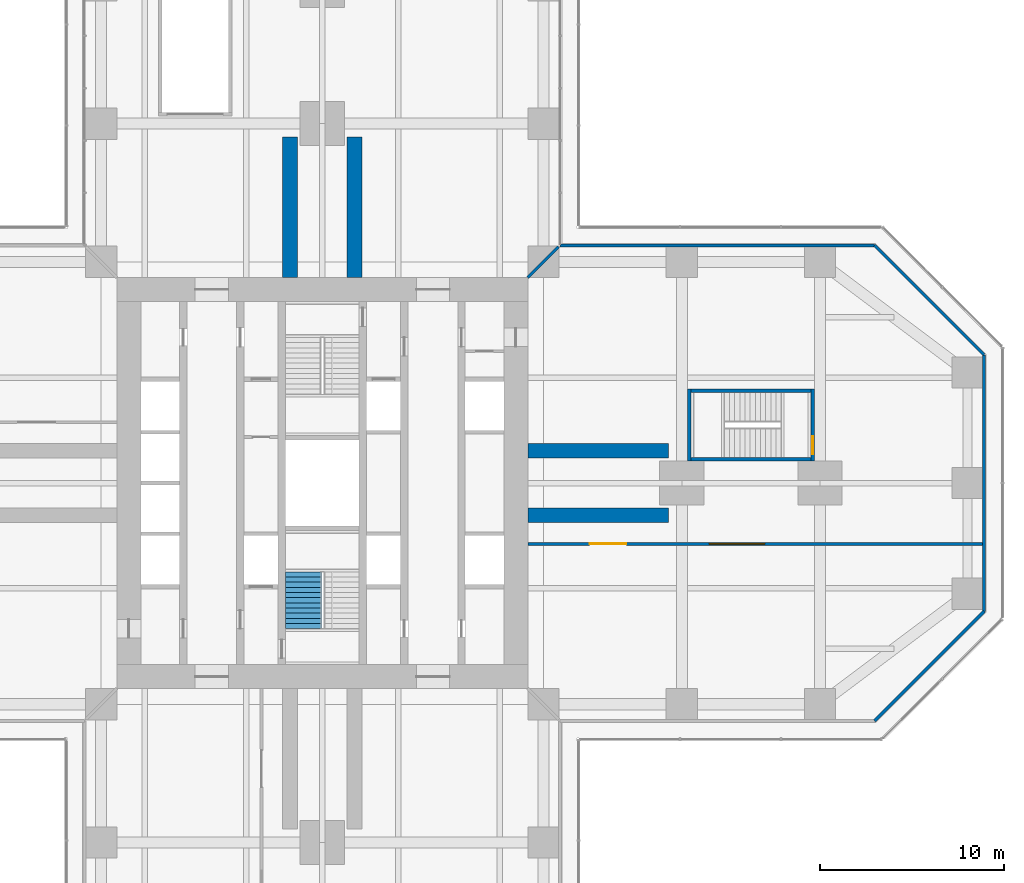
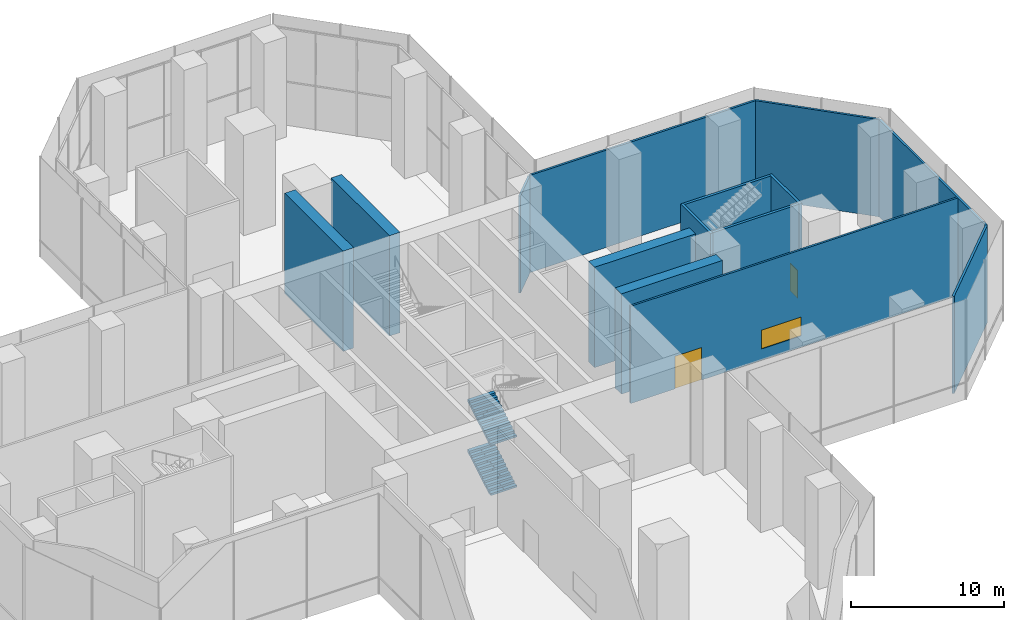
# One storey, part 19 of 25: 14 walls, 2 doors, 2 stair flights, 1 window, 3 openings, 1 element without a shape of its own.
"""IFC4 building model written with IfcOpenShell, lengths in metres."""

from ifc_helpers import new_model, si_unit, direction, frame, frame_2d, origin, place, context, subcontext, project, spatial, polyline, rectangle, outline, extrude, material, layer, layer_set, type_object, element, fill, aggregate, save


model = new_model("IFC4")

# Units and contexts
model_context = context("Model", 3, precision=1e-05, world=origin(), true_north=direction((0.0, 1.0)))
body_context = subcontext(model_context, "Body", "Model", "MODEL_VIEW")
ifc_project = project(units=[si_unit("LENGTHUNIT", "METRE"), si_unit("AREAUNIT", "SQUARE_METRE"), si_unit("VOLUMEUNIT", "CUBIC_METRE"), si_unit("PLANEANGLEUNIT", "RADIAN"), si_unit("MASSUNIT", "GRAM", prefix="KILO")], contexts=[model_context])

# Site, building, storey
site_placement = place(None, origin())
site = spatial("IfcSite", under=ifc_project, at=site_placement, CompositionType="ELEMENT")
building_placement = place(site_placement, origin())
building = spatial("IfcBuilding", under=site, at=building_placement, Name="Mizan Broadcast Tower", CompositionType="ELEMENT")
storey_placement = place(building_placement, frame((0.0, 0.0, 7.0)))
storey = spatial("IfcBuildingStorey", under=building, at=storey_placement, Name="L01", CompositionType="ELEMENT", Elevation=7.0)

# Wall, openings, door, window
ifc_material_1 = material(Name="Gypsum board on steel studs", Category="steel")
ifc_layer_1 = layer(ifc_material_1, 0.14990234375)
ifc_layer_set_1 = layer_set([ifc_layer_1], Name="Gypsum board on steel studs")
wall_type_1 = type_object("IfcWallType", Name="PARTITION 150", PredefinedType="PARTITIONING", material=ifc_layer_set_1)
wall_1_placement = place(storey_placement, frame((11.14990234375, -3.300048828125, 0.0), z_axis=(0.0, 0.0, 1.0), x_axis=(1.0, 0.0, 0.0)))
wall_1 = element("IfcWall", 1, at=wall_1_placement, inside=storey, type_object=wall_type_1, Name="Partition PT/ES", PredefinedType="PARTITIONING", context=body_context, shape_type="SweptSolid", body=[
    extrude(rectangle(XDim=24.670166015625, YDim=0.14990234375, at=frame_2d((12.3349609375, 0.0))), origin(), (0.0, 0.0, 1.0), 7.75),
])
opening_1_placement = place(wall_1_placement, frame((3.35009765625, 0.0, 0.0)))
opening_1 = element("IfcOpeningElement", 2, at=opening_1_placement, cuts=wall_1, Name="Opening D20", PredefinedType="OPENING", context=body_context, shape_type="SweptSolid", body=[
    extrude(rectangle(XDim=2.0, YDim=2.60009765625, at=frame_2d((1.0, 1.300048828125))), frame((0.0, 0.0849609375, 0.0), z_axis=(0.0, -1.0, 0.0), x_axis=(1.0, 0.0, 0.0)), (0.0, 0.0, 1.0), 0.169921875),
])
opening_2_placement = place(wall_1_placement, frame((9.85009765625, 0.0, 0.89990234375)))
opening_2 = element("IfcOpeningElement", 3, at=opening_2_placement, cuts=wall_1, Name="Opening W01", PredefinedType="OPENING", context=body_context, shape_type="SweptSolid", body=[
    extrude(rectangle(XDim=3.0, YDim=1.5, at=frame_2d((1.5, 0.75))), frame((0.0, 0.0849609375, 0.0), z_axis=(0.0, -1.0, 0.0), x_axis=(1.0, 0.0, 0.0)), (0.0, 0.0, 1.0), 0.169921875),
])
ifc_material_2 = material(Name="Timber door leaf in aluminium frame", Category="wood")
door_type_1 = type_object("IfcDoorType", Name="STUDIO DOUBLE DOOR 2000", OperationType="DOUBLE_DOOR_DOUBLE_SWING", PredefinedType="DOOR", material=ifc_material_2)
door_1_placement = place(opening_1_placement, origin())
door_1 = element("IfcDoor", 4, at=door_1_placement, inside=storey, type_object=door_type_1, Name="Studio A door", OperationType="DOUBLE_DOOR_DOUBLE_SWING", OverallHeight=2.60009765625, OverallWidth=2.0, PredefinedType="DOOR", context=body_context, shape_type="SweptSolid", body=[
    extrude(rectangle(XDim=2.0, YDim=2.60009765625, at=frame_2d((1.0, 1.300048828125))), frame((0.0, 0.02490234375, 0.0), z_axis=(0.0, -1.0, 0.0), x_axis=(1.0, 0.0, 0.0)), (0.0, 0.0, 1.0), 0.050048828125),
])
fill(opening_1, door_1)
ifc_material_3 = material(Name="Acoustic laminated triple glazing in steel frame", Category="steel")
window_type = type_object("IfcWindowType", Name="STUDIO OBSERVATION WINDOW 3000x1500", PartitioningType="SINGLE_PANEL", PredefinedType="WINDOW", material=ifc_material_3)
window_placement = place(opening_2_placement, origin())
window = element("IfcWindow", 5, at=window_placement, inside=storey, type_object=window_type, Name="Studio A observation window", OverallHeight=1.5, OverallWidth=3.0, PartitioningType="SINGLE_PANEL", PredefinedType="WINDOW", context=body_context, shape_type="SweptSolid", body=[
    extrude(rectangle(XDim=3.0, YDim=1.5, at=frame_2d((1.5, 0.75))), frame((0.0, 0.030029296875, 0.0), z_axis=(0.0, -1.0, 0.0), x_axis=(1.0, 0.0, 0.0)), (0.0, 0.0, 1.0), 0.06005859375),
])
fill(opening_2, window)

# Walls
wall_2_placement = place(storey_placement, frame((11.14990234375, 11.14990234375, 0.0), z_axis=(0.0, 0.0, 1.0), x_axis=(0.707106781187, 0.707106781187, 0.0)))
element("IfcWall", 6, at=wall_2_placement, inside=storey, type_object=wall_type_1, Name="Partition PT/DGEN", PredefinedType="PARTITIONING", context=body_context, shape_type="SweptSolid", body=[
    extrude(rectangle(XDim=2.362060546875, YDim=0.14990234375, at=frame_2d((1.18115234375, 0.0))), origin(), (0.0, 0.0, 1.0), 7.75),
])
ifc_material_4 = material(Name="Concrete C70/85", Category="concrete")
ifc_layer_2 = layer(ifc_material_4, 0.800048828125)
ifc_layer_set_2 = layer_set([ifc_layer_2], Name="Concrete C70/85")
wall_type_2 = type_object("IfcWallType", Name="SPINE WALL 800", PredefinedType="SHEAR", material=ifc_layer_set_2)
for number, where, z_axis, x_axis, name in (
    (7, (11.14990234375, -1.75, 0.0), (0.0, 0.0, 1.0), (1.0, 0.0, 0.0), "Spine wall ER L01"),
    (8, (11.14990234375, 1.75, 0.0), (0.0, 0.0, 1.0), (1.0, 0.0, 0.0), "Spine wall EL L01"),
    (9, (1.75, 11.14990234375, 0.0), (0.0, 0.0, 1.0), (0.0, 1.0, 0.0), "Spine wall NR L01"),
    (10, (-1.75, 11.14990234375, 0.0), (0.0, 0.0, 1.0), (0.0, 1.0, 0.0), "Spine wall NL L01"),
):
    element("IfcWall", number, at=place(storey_placement, frame(where, z_axis=z_axis, x_axis=x_axis)), inside=storey, type_object=wall_type_2, Name=name, PredefinedType="SHEAR", context=body_context, shape_type="SweptSolid", body=[
        extrude(rectangle(XDim=7.625, YDim=0.800048828125, at=frame_2d((3.8125, 0.0))), origin(), (0.0, 0.0, 1.0), 8.0),
    ])
ifc_material_5 = material(Name="Concrete C40/50", Category="concrete")
ifc_layer_3 = layer(ifc_material_5, 0.199951171875)
ifc_layer_set_3 = layer_set([ifc_layer_3], Name="Concrete C40/50")
wall_type_3 = type_object("IfcWallType", Name="STAIR SHAFT WALL 200 RC", PredefinedType="SOLIDWALL", material=ifc_layer_set_3)
wall_3_placement = place(storey_placement, frame((19.89990234375, 1.199951171875, 0.0), z_axis=(0.0, 0.0, 1.0), x_axis=(0.0, 1.0, 0.0)))
element("IfcWall", 11, at=wall_3_placement, inside=storey, type_object=wall_type_3, Name="Stair shaft wall PS/E/U0", PredefinedType="SOLIDWALL", context=body_context, shape_type="SweptSolid", body=[
    extrude(rectangle(XDim=3.900146484375, YDim=0.199951171875, at=frame_2d((1.9501953125, 0.0))), origin(), (0.0, 0.0, 1.0), 7.75),
])

# Wall, opening, door
wall_4_placement = place(storey_placement, frame((26.60009765625, 5.10009765625, 0.0), z_axis=(0.0, 0.0, 1.0), x_axis=(0.0, -1.0, 0.0)))
wall_4 = element("IfcWall", 12, at=wall_4_placement, inside=storey, type_object=wall_type_3, Name="Stair shaft wall PS/E/U1", PredefinedType="SOLIDWALL", context=body_context, shape_type="SweptSolid", body=[
    extrude(rectangle(XDim=3.900146484375, YDim=0.199951171875, at=frame_2d((1.9501953125, 0.0))), origin(), (0.0, 0.0, 1.0), 7.75),
])
opening_3_placement = place(wall_4_placement, frame((2.550048828125, 0.0, 0.0)))
opening_3 = element("IfcOpeningElement", 13, at=opening_3_placement, cuts=wall_4, Name="Opening D10S", PredefinedType="OPENING", context=body_context, shape_type="SweptSolid", body=[
    extrude(rectangle(XDim=1.0, YDim=2.199951171875, at=frame_2d((0.5, 1.10009765625))), frame((0.0, 0.10986328125, 0.0), z_axis=(0.0, -1.0, 0.0), x_axis=(1.0, 0.0, 0.0)), (0.0, 0.0, 1.0), 0.219970703125),
])
ifc_material_6 = material(Name="Steel door leaf in steel frame", Category="steel")
door_type_2 = type_object("IfcDoorType", Name="STAIR DOOR 1000 FD90S", OperationType="SINGLE_SWING_RIGHT", PredefinedType="DOOR", material=ifc_material_6)
door_2_placement = place(opening_3_placement, origin())
door_2 = element("IfcDoor", 14, at=door_2_placement, inside=storey, type_object=door_type_2, Name="Stair C door", OperationType="SINGLE_SWING_RIGHT", OverallHeight=2.199951171875, OverallWidth=1.0, PredefinedType="DOOR", context=body_context, shape_type="SweptSolid", body=[
    extrude(rectangle(XDim=1.0, YDim=2.199951171875, at=frame_2d((0.5, 1.10009765625))), frame((0.0, 0.02490234375, 0.0), z_axis=(0.0, -1.0, 0.0), x_axis=(1.0, 0.0, 0.0)), (0.0, 0.0, 1.0), 0.050048828125),
])
fill(opening_3, door_2)

# Walls
for number, where, z_axis, x_axis, name in (
    (15, (20.0, 1.300048828125, 0.0), (0.0, 0.0, 1.0), (1.0, 0.0, 0.0), "Stair shaft wall PS/E/V0"),
    (16, (26.5, 5.0, 0.0), (0.0, 0.0, 1.0), (-1.0, 0.0, 0.0), "Stair shaft wall PS/E/V1"),
):
    element("IfcWall", number, at=place(storey_placement, frame(where, z_axis=z_axis, x_axis=x_axis)), inside=storey, type_object=wall_type_3, Name=name, PredefinedType="SOLIDWALL", context=body_context, shape_type="SweptSolid", body=[
        extrude(rectangle(XDim=6.5, YDim=0.199951171875, at=frame_2d((3.25, 0.0))), origin(), (0.0, 0.0, 1.0), 7.75),
    ])
ifc_material_7 = material(Name="Insulated aluminium panel wall", Category="aluminium")
ifc_layer_4 = layer(ifc_material_7, 0.159912109375)
ifc_layer_set_4 = layer_set([ifc_layer_4], Name="Insulated aluminium panel wall")
wall_type_4 = type_object("IfcWallType", Name="STUDIO CLADDING WALL 160", PredefinedType="SOLIDWALL", material=ifc_layer_set_4)
wall_5_placement = place(storey_placement, frame((29.95849609375, -12.89990234375, 0.0), z_axis=(0.0, 0.0, 1.0), x_axis=(0.707106781187, 0.707106781187, 0.0)))
element("IfcWall", 17, at=wall_5_placement, inside=storey, type_object=wall_type_4, Name="External wall L01 E chamfer", PredefinedType="SOLIDWALL", context=body_context, shape_type="SweptSolid", body=[
    extrude(rectangle(XDim=8.40234375, YDim=0.159912109375, at=frame_2d((4.201171875, 0.0))), origin(), (0.0, 0.0, 1.0), 7.75),
])
wall_6_placement = place(storey_placement, frame((35.89990234375, -6.95849609375, 0.0), z_axis=(0.0, 0.0, 1.0), x_axis=(0.0, 1.0, 0.0)))
element("IfcWall", 18, at=wall_6_placement, inside=storey, type_object=wall_type_4, Name="External wall L01 E end", PredefinedType="SOLIDWALL", context=body_context, shape_type="SweptSolid", body=[
    extrude(rectangle(XDim=13.9169921875, YDim=0.159912109375, at=frame_2d((6.95849609375, 0.0))), origin(), (0.0, 0.0, 1.0), 7.75),
])
wall_7_placement = place(storey_placement, frame((35.89990234375, 6.95849609375, 0.0), z_axis=(0.0, 0.0, 1.0), x_axis=(-0.707106781187, 0.707106781187, 0.0)))
element("IfcWall", 19, at=wall_7_placement, inside=storey, type_object=wall_type_4, Name="External wall L01 E chamfer", PredefinedType="SOLIDWALL", context=body_context, shape_type="SweptSolid", body=[
    extrude(rectangle(XDim=8.40234375, YDim=0.159912109375, at=frame_2d((4.201171875, 0.0))), origin(), (0.0, 0.0, 1.0), 7.75),
])
wall_8_placement = place(storey_placement, frame((29.95849609375, 12.89990234375, 0.0), z_axis=(0.0, 0.0, 1.0), x_axis=(-1.0, 0.0, 0.0)))
element("IfcWall", 20, at=wall_8_placement, inside=storey, type_object=wall_type_4, Name="External wall L01 E side", PredefinedType="SOLIDWALL", context=body_context, shape_type="SweptSolid", body=[
    extrude(rectangle(XDim=17.05859375, YDim=0.159912109375, at=frame_2d((8.529296875, 0.0))), origin(), (0.0, 0.0, 1.0), 7.75),
])

# Stair, stair flights
ifc_material_8 = material(Name="Concrete C40/50", Category="concrete")
stair_type = type_object("IfcStairType", Name="EXIT STAIR", PredefinedType="HALF_TURN_STAIR", material=ifc_material_8)
stair_placement = place(storey_placement, origin())
stair = element("IfcStair", 21, at=stair_placement, inside=storey, type_object=stair_type, Name="Stair A L01", PredefinedType="HALF_TURN_STAIR")
ifc_material_9 = material(Name="Concrete C40/50", Category="concrete")
stair_flight_type = type_object("IfcStairFlightType", Name="EXIT STAIR FLIGHT", PredefinedType="STRAIGHT", material=ifc_material_9)
stair_flight_1_placement = place(storey_placement, frame((-1.02490234375, -7.89990234375, 0.0), z_axis=(0.0, 0.0, 1.0), x_axis=(0.0, 1.0, 0.0)))
stair_flight_1 = element("IfcStairFlight", 22, at=stair_flight_1_placement, type_object=stair_flight_type, Name="A flight 1", NumberOfRisers=12, NumberOfTreads=11, PredefinedType="STRAIGHT", RiserHeight=0.166666667, TreadLength=0.28, context=body_context, shape_type="SweptSolid", body=[
    extrude(outline(polyline([(0.0, 0.0), (0.0, 0.166748046875), (0.280029296875, 0.166748046875), (0.280029296875, 0.333251953125), (0.56005859375, 0.333251953125), (0.56005859375, 0.5), (0.840087890625, 0.5), (0.840087890625, 0.666748046875), (1.1201171875, 0.666748046875), (1.1201171875, 0.833251953125), (1.39990234375, 0.833251953125), (1.39990234375, 1.0), (1.679931640625, 1.0), (1.679931640625, 1.166748046875), (1.9599609375, 1.166748046875), (1.9599609375, 1.333251953125), (2.239990234375, 1.333251953125), (2.239990234375, 1.5), (2.52001953125, 1.5), (2.52001953125, 1.666748046875), (2.800048828125, 1.666748046875), (2.800048828125, 1.833251953125), (3.080078125, 1.833251953125), (3.080078125, 2.0), (3.080078125, 1.658935546875), (0.29296875, 0.0), (0.0, 0.0)])), frame((0.0, 0.97509765625, 0.0), z_axis=(0.0, -1.0, 0.0), x_axis=(1.0, 0.0, 0.0)), (0.0, 0.0, 1.0), 0.4873046875),
    extrude(outline(polyline([(0.0, 0.0), (0.0, 0.166748046875), (0.280029296875, 0.166748046875), (0.280029296875, 0.333251953125), (0.56005859375, 0.333251953125), (0.56005859375, 0.5), (0.840087890625, 0.5), (0.840087890625, 0.666748046875), (1.1201171875, 0.666748046875), (1.1201171875, 0.833251953125), (1.39990234375, 0.833251953125), (1.39990234375, 1.0), (1.679931640625, 1.0), (1.679931640625, 1.166748046875), (1.9599609375, 1.166748046875), (1.9599609375, 1.333251953125), (2.239990234375, 1.333251953125), (2.239990234375, 1.5), (2.52001953125, 1.5), (2.52001953125, 1.666748046875), (2.800048828125, 1.666748046875), (2.800048828125, 1.833251953125), (3.080078125, 1.833251953125), (3.080078125, 2.0), (3.080078125, 1.658935546875), (0.29296875, 0.0), (0.0, 0.0)])), frame((0.0, 0.4873046875, 0.0), z_axis=(0.0, -1.0, 0.0), x_axis=(1.0, 0.0, 0.0)), (0.0, 0.0, 1.0), 0.2431640625),
    extrude(outline(polyline([(0.0, 0.0), (0.0, 0.166748046875), (0.280029296875, 0.166748046875), (0.280029296875, 0.333251953125), (0.56005859375, 0.333251953125), (0.56005859375, 0.5), (0.840087890625, 0.5), (0.840087890625, 0.666748046875), (1.1201171875, 0.666748046875), (1.1201171875, 0.833251953125), (1.39990234375, 0.833251953125), (1.39990234375, 1.0), (1.679931640625, 1.0), (1.679931640625, 1.166748046875), (1.9599609375, 1.166748046875), (1.9599609375, 1.333251953125), (2.239990234375, 1.333251953125), (2.239990234375, 1.5), (2.52001953125, 1.5), (2.52001953125, 1.666748046875), (2.800048828125, 1.666748046875), (2.800048828125, 1.833251953125), (3.080078125, 1.833251953125), (3.080078125, 2.0), (3.080078125, 1.658935546875), (0.29296875, 0.0), (0.0, 0.0)])), frame((0.0, 0.24365234375, 0.0), z_axis=(0.0, -1.0, 0.0), x_axis=(1.0, 0.0, 0.0)), (0.0, 0.0, 1.0), 0.121337890625),
    extrude(outline(polyline([(0.0, 0.0), (0.0, 0.166748046875), (0.280029296875, 0.166748046875), (0.280029296875, 0.333251953125), (0.56005859375, 0.333251953125), (0.56005859375, 0.5), (0.840087890625, 0.5), (0.840087890625, 0.666748046875), (1.1201171875, 0.666748046875), (1.1201171875, 0.833251953125), (1.39990234375, 0.833251953125), (1.39990234375, 1.0), (1.679931640625, 1.0), (1.679931640625, 1.166748046875), (1.9599609375, 1.166748046875), (1.9599609375, 1.333251953125), (2.239990234375, 1.333251953125), (2.239990234375, 1.5), (2.52001953125, 1.5), (2.52001953125, 1.666748046875), (2.800048828125, 1.666748046875), (2.800048828125, 1.833251953125), (3.080078125, 1.833251953125), (3.080078125, 2.0), (3.080078125, 1.658935546875), (0.29296875, 0.0), (0.0, 0.0)])), frame((0.0, 0.121826171875, 0.0), z_axis=(0.0, -1.0, 0.0), x_axis=(1.0, 0.0, 0.0)), (0.0, 0.0, 1.0), 0.060546875),
    extrude(outline(polyline([(0.0, 0.0), (0.0, 0.166748046875), (0.280029296875, 0.166748046875), (0.280029296875, 0.333251953125), (0.56005859375, 0.333251953125), (0.56005859375, 0.5), (0.840087890625, 0.5), (0.840087890625, 0.666748046875), (1.1201171875, 0.666748046875), (1.1201171875, 0.833251953125), (1.39990234375, 0.833251953125), (1.39990234375, 1.0), (1.679931640625, 1.0), (1.679931640625, 1.166748046875), (1.9599609375, 1.166748046875), (1.9599609375, 1.333251953125), (2.239990234375, 1.333251953125), (2.239990234375, 1.5), (2.52001953125, 1.5), (2.52001953125, 1.666748046875), (2.800048828125, 1.666748046875), (2.800048828125, 1.833251953125), (3.080078125, 1.833251953125), (3.080078125, 2.0), (3.080078125, 1.658935546875), (0.29296875, 0.0), (0.0, 0.0)])), frame((0.0, 0.060791015625, 0.0), z_axis=(0.0, -1.0, 0.0), x_axis=(1.0, 0.0, 0.0)), (0.0, 0.0, 1.0), 0.030029296875),
    extrude(outline(polyline([(0.0, 0.0), (0.0, 0.166748046875), (0.280029296875, 0.166748046875), (0.280029296875, 0.333251953125), (0.56005859375, 0.333251953125), (0.56005859375, 0.5), (0.840087890625, 0.5), (0.840087890625, 0.666748046875), (1.1201171875, 0.666748046875), (1.1201171875, 0.833251953125), (1.39990234375, 0.833251953125), (1.39990234375, 1.0), (1.679931640625, 1.0), (1.679931640625, 1.166748046875), (1.9599609375, 1.166748046875), (1.9599609375, 1.333251953125), (2.239990234375, 1.333251953125), (2.239990234375, 1.5), (2.52001953125, 1.5), (2.52001953125, 1.666748046875), (2.800048828125, 1.666748046875), (2.800048828125, 1.833251953125), (3.080078125, 1.833251953125), (3.080078125, 2.0), (3.080078125, 1.658935546875), (0.29296875, 0.0), (0.0, 0.0)])), frame((0.0, 0.0302734375, 0.0), z_axis=(0.0, -1.0, 0.0), x_axis=(1.0, 0.0, 0.0)), (0.0, 0.0, 1.0), 0.060302734375),
    extrude(outline(polyline([(0.0, 0.0), (0.0, 0.166748046875), (0.280029296875, 0.166748046875), (0.280029296875, 0.333251953125), (0.56005859375, 0.333251953125), (0.56005859375, 0.5), (0.840087890625, 0.5), (0.840087890625, 0.666748046875), (1.1201171875, 0.666748046875), (1.1201171875, 0.833251953125), (1.39990234375, 0.833251953125), (1.39990234375, 1.0), (1.679931640625, 1.0), (1.679931640625, 1.166748046875), (1.9599609375, 1.166748046875), (1.9599609375, 1.333251953125), (2.239990234375, 1.333251953125), (2.239990234375, 1.5), (2.52001953125, 1.5), (2.52001953125, 1.666748046875), (2.800048828125, 1.666748046875), (2.800048828125, 1.833251953125), (3.080078125, 1.833251953125), (3.080078125, 2.0), (3.080078125, 1.658935546875), (0.29296875, 0.0), (0.0, 0.0)])), frame((0.0, -0.030517578125, 0.0), z_axis=(0.0, -1.0, 0.0), x_axis=(1.0, 0.0, 0.0)), (0.0, 0.0, 1.0), 0.030029296875),
    extrude(outline(polyline([(0.0, 0.0), (0.0, 0.166748046875), (0.280029296875, 0.166748046875), (0.280029296875, 0.333251953125), (0.56005859375, 0.333251953125), (0.56005859375, 0.5), (0.840087890625, 0.5), (0.840087890625, 0.666748046875), (1.1201171875, 0.666748046875), (1.1201171875, 0.833251953125), (1.39990234375, 0.833251953125), (1.39990234375, 1.0), (1.679931640625, 1.0), (1.679931640625, 1.166748046875), (1.9599609375, 1.166748046875), (1.9599609375, 1.333251953125), (2.239990234375, 1.333251953125), (2.239990234375, 1.5), (2.52001953125, 1.5), (2.52001953125, 1.666748046875), (2.800048828125, 1.666748046875), (2.800048828125, 1.833251953125), (3.080078125, 1.833251953125), (3.080078125, 2.0), (3.080078125, 1.658935546875), (0.29296875, 0.0), (0.0, 0.0)])), frame((0.0, -0.06103515625, 0.0), z_axis=(0.0, -1.0, 0.0), x_axis=(1.0, 0.0, 0.0)), (0.0, 0.0, 1.0), 0.060546875),
    extrude(outline(polyline([(0.0, 0.0), (0.0, 0.166748046875), (0.280029296875, 0.166748046875), (0.280029296875, 0.333251953125), (0.56005859375, 0.333251953125), (0.56005859375, 0.5), (0.840087890625, 0.5), (0.840087890625, 0.666748046875), (1.1201171875, 0.666748046875), (1.1201171875, 0.833251953125), (1.39990234375, 0.833251953125), (1.39990234375, 1.0), (1.679931640625, 1.0), (1.679931640625, 1.166748046875), (1.9599609375, 1.166748046875), (1.9599609375, 1.333251953125), (2.239990234375, 1.333251953125), (2.239990234375, 1.5), (2.52001953125, 1.5), (2.52001953125, 1.666748046875), (2.800048828125, 1.666748046875), (2.800048828125, 1.833251953125), (3.080078125, 1.833251953125), (3.080078125, 2.0), (3.080078125, 1.658935546875), (0.29296875, 0.0), (0.0, 0.0)])), frame((0.0, -0.1220703125, 0.0), z_axis=(0.0, -1.0, 0.0), x_axis=(1.0, 0.0, 0.0)), (0.0, 0.0, 1.0), 0.121337890625),
    extrude(outline(polyline([(0.0, 0.0), (0.0, 0.166748046875), (0.280029296875, 0.166748046875), (0.280029296875, 0.333251953125), (0.56005859375, 0.333251953125), (0.56005859375, 0.5), (0.840087890625, 0.5), (0.840087890625, 0.666748046875), (1.1201171875, 0.666748046875), (1.1201171875, 0.833251953125), (1.39990234375, 0.833251953125), (1.39990234375, 1.0), (1.679931640625, 1.0), (1.679931640625, 1.166748046875), (1.9599609375, 1.166748046875), (1.9599609375, 1.333251953125), (2.239990234375, 1.333251953125), (2.239990234375, 1.5), (2.52001953125, 1.5), (2.52001953125, 1.666748046875), (2.800048828125, 1.666748046875), (2.800048828125, 1.833251953125), (3.080078125, 1.833251953125), (3.080078125, 2.0), (3.080078125, 1.658935546875), (0.29296875, 0.0), (0.0, 0.0)])), frame((0.0, -0.243896484375, 0.0), z_axis=(0.0, -1.0, 0.0), x_axis=(1.0, 0.0, 0.0)), (0.0, 0.0, 1.0), 0.2431640625),
    extrude(outline(polyline([(0.0, 0.0), (0.0, 0.166748046875), (0.280029296875, 0.166748046875), (0.280029296875, 0.333251953125), (0.56005859375, 0.333251953125), (0.56005859375, 0.5), (0.840087890625, 0.5), (0.840087890625, 0.666748046875), (1.1201171875, 0.666748046875), (1.1201171875, 0.833251953125), (1.39990234375, 0.833251953125), (1.39990234375, 1.0), (1.679931640625, 1.0), (1.679931640625, 1.166748046875), (1.9599609375, 1.166748046875), (1.9599609375, 1.333251953125), (2.239990234375, 1.333251953125), (2.239990234375, 1.5), (2.52001953125, 1.5), (2.52001953125, 1.666748046875), (2.800048828125, 1.666748046875), (2.800048828125, 1.833251953125), (3.080078125, 1.833251953125), (3.080078125, 2.0), (3.080078125, 1.658935546875), (0.29296875, 0.0), (0.0, 0.0)])), frame((0.0, -0.487548828125, 0.0), z_axis=(0.0, -1.0, 0.0), x_axis=(1.0, 0.0, 0.0)), (0.0, 0.0, 1.0), 0.4873046875),
])
stair_flight_2_placement = place(storey_placement, frame((-1.02490234375, -7.89990234375, 4.0), z_axis=(0.0, 0.0, 1.0), x_axis=(0.0, 1.0, 0.0)))
stair_flight_2 = element("IfcStairFlight", 23, at=stair_flight_2_placement, type_object=stair_flight_type, Name="A flight 3", NumberOfRisers=12, NumberOfTreads=11, PredefinedType="STRAIGHT", RiserHeight=0.166666667, TreadLength=0.28, context=body_context, shape_type="SweptSolid", body=[
    extrude(outline(polyline([(0.0, 0.0), (0.0, 0.166748046875), (0.280029296875, 0.166748046875), (0.280029296875, 0.333251953125), (0.56005859375, 0.333251953125), (0.56005859375, 0.5), (0.840087890625, 0.5), (0.840087890625, 0.666748046875), (1.1201171875, 0.666748046875), (1.1201171875, 0.833251953125), (1.39990234375, 0.833251953125), (1.39990234375, 1.0), (1.679931640625, 1.0), (1.679931640625, 1.166748046875), (1.9599609375, 1.166748046875), (1.9599609375, 1.333251953125), (2.239990234375, 1.333251953125), (2.239990234375, 1.5), (2.52001953125, 1.5), (2.52001953125, 1.666748046875), (2.800048828125, 1.666748046875), (2.800048828125, 1.833251953125), (3.080078125, 1.833251953125), (3.080078125, 2.0), (3.080078125, 1.658935546875), (0.29296875, 0.0), (0.0, 0.0)])), frame((0.0, 0.97509765625, 0.0), z_axis=(0.0, -1.0, 0.0), x_axis=(1.0, 0.0, 0.0)), (0.0, 0.0, 1.0), 0.4873046875),
    extrude(outline(polyline([(0.0, 0.0), (0.0, 0.166748046875), (0.280029296875, 0.166748046875), (0.280029296875, 0.333251953125), (0.56005859375, 0.333251953125), (0.56005859375, 0.5), (0.840087890625, 0.5), (0.840087890625, 0.666748046875), (1.1201171875, 0.666748046875), (1.1201171875, 0.833251953125), (1.39990234375, 0.833251953125), (1.39990234375, 1.0), (1.679931640625, 1.0), (1.679931640625, 1.166748046875), (1.9599609375, 1.166748046875), (1.9599609375, 1.333251953125), (2.239990234375, 1.333251953125), (2.239990234375, 1.5), (2.52001953125, 1.5), (2.52001953125, 1.666748046875), (2.800048828125, 1.666748046875), (2.800048828125, 1.833251953125), (3.080078125, 1.833251953125), (3.080078125, 2.0), (3.080078125, 1.658935546875), (0.29296875, 0.0), (0.0, 0.0)])), frame((0.0, 0.4873046875, 0.0), z_axis=(0.0, -1.0, 0.0), x_axis=(1.0, 0.0, 0.0)), (0.0, 0.0, 1.0), 0.2431640625),
    extrude(outline(polyline([(0.0, 0.0), (0.0, 0.166748046875), (0.280029296875, 0.166748046875), (0.280029296875, 0.333251953125), (0.56005859375, 0.333251953125), (0.56005859375, 0.5), (0.840087890625, 0.5), (0.840087890625, 0.666748046875), (1.1201171875, 0.666748046875), (1.1201171875, 0.833251953125), (1.39990234375, 0.833251953125), (1.39990234375, 1.0), (1.679931640625, 1.0), (1.679931640625, 1.166748046875), (1.9599609375, 1.166748046875), (1.9599609375, 1.333251953125), (2.239990234375, 1.333251953125), (2.239990234375, 1.5), (2.52001953125, 1.5), (2.52001953125, 1.666748046875), (2.800048828125, 1.666748046875), (2.800048828125, 1.833251953125), (3.080078125, 1.833251953125), (3.080078125, 2.0), (3.080078125, 1.658935546875), (0.29296875, 0.0), (0.0, 0.0)])), frame((0.0, 0.24365234375, 0.0), z_axis=(0.0, -1.0, 0.0), x_axis=(1.0, 0.0, 0.0)), (0.0, 0.0, 1.0), 0.121337890625),
    extrude(outline(polyline([(0.0, 0.0), (0.0, 0.166748046875), (0.280029296875, 0.166748046875), (0.280029296875, 0.333251953125), (0.56005859375, 0.333251953125), (0.56005859375, 0.5), (0.840087890625, 0.5), (0.840087890625, 0.666748046875), (1.1201171875, 0.666748046875), (1.1201171875, 0.833251953125), (1.39990234375, 0.833251953125), (1.39990234375, 1.0), (1.679931640625, 1.0), (1.679931640625, 1.166748046875), (1.9599609375, 1.166748046875), (1.9599609375, 1.333251953125), (2.239990234375, 1.333251953125), (2.239990234375, 1.5), (2.52001953125, 1.5), (2.52001953125, 1.666748046875), (2.800048828125, 1.666748046875), (2.800048828125, 1.833251953125), (3.080078125, 1.833251953125), (3.080078125, 2.0), (3.080078125, 1.658935546875), (0.29296875, 0.0), (0.0, 0.0)])), frame((0.0, 0.121826171875, 0.0), z_axis=(0.0, -1.0, 0.0), x_axis=(1.0, 0.0, 0.0)), (0.0, 0.0, 1.0), 0.060546875),
    extrude(outline(polyline([(0.0, 0.0), (0.0, 0.166748046875), (0.280029296875, 0.166748046875), (0.280029296875, 0.333251953125), (0.56005859375, 0.333251953125), (0.56005859375, 0.5), (0.840087890625, 0.5), (0.840087890625, 0.666748046875), (1.1201171875, 0.666748046875), (1.1201171875, 0.833251953125), (1.39990234375, 0.833251953125), (1.39990234375, 1.0), (1.679931640625, 1.0), (1.679931640625, 1.166748046875), (1.9599609375, 1.166748046875), (1.9599609375, 1.333251953125), (2.239990234375, 1.333251953125), (2.239990234375, 1.5), (2.52001953125, 1.5), (2.52001953125, 1.666748046875), (2.800048828125, 1.666748046875), (2.800048828125, 1.833251953125), (3.080078125, 1.833251953125), (3.080078125, 2.0), (3.080078125, 1.658935546875), (0.29296875, 0.0), (0.0, 0.0)])), frame((0.0, 0.060791015625, 0.0), z_axis=(0.0, -1.0, 0.0), x_axis=(1.0, 0.0, 0.0)), (0.0, 0.0, 1.0), 0.030029296875),
    extrude(outline(polyline([(0.0, 0.0), (0.0, 0.166748046875), (0.280029296875, 0.166748046875), (0.280029296875, 0.333251953125), (0.56005859375, 0.333251953125), (0.56005859375, 0.5), (0.840087890625, 0.5), (0.840087890625, 0.666748046875), (1.1201171875, 0.666748046875), (1.1201171875, 0.833251953125), (1.39990234375, 0.833251953125), (1.39990234375, 1.0), (1.679931640625, 1.0), (1.679931640625, 1.166748046875), (1.9599609375, 1.166748046875), (1.9599609375, 1.333251953125), (2.239990234375, 1.333251953125), (2.239990234375, 1.5), (2.52001953125, 1.5), (2.52001953125, 1.666748046875), (2.800048828125, 1.666748046875), (2.800048828125, 1.833251953125), (3.080078125, 1.833251953125), (3.080078125, 2.0), (3.080078125, 1.658935546875), (0.29296875, 0.0), (0.0, 0.0)])), frame((0.0, 0.0302734375, 0.0), z_axis=(0.0, -1.0, 0.0), x_axis=(1.0, 0.0, 0.0)), (0.0, 0.0, 1.0), 0.060302734375),
    extrude(outline(polyline([(0.0, 0.0), (0.0, 0.166748046875), (0.280029296875, 0.166748046875), (0.280029296875, 0.333251953125), (0.56005859375, 0.333251953125), (0.56005859375, 0.5), (0.840087890625, 0.5), (0.840087890625, 0.666748046875), (1.1201171875, 0.666748046875), (1.1201171875, 0.833251953125), (1.39990234375, 0.833251953125), (1.39990234375, 1.0), (1.679931640625, 1.0), (1.679931640625, 1.166748046875), (1.9599609375, 1.166748046875), (1.9599609375, 1.333251953125), (2.239990234375, 1.333251953125), (2.239990234375, 1.5), (2.52001953125, 1.5), (2.52001953125, 1.666748046875), (2.800048828125, 1.666748046875), (2.800048828125, 1.833251953125), (3.080078125, 1.833251953125), (3.080078125, 2.0), (3.080078125, 1.658935546875), (0.29296875, 0.0), (0.0, 0.0)])), frame((0.0, -0.030517578125, 0.0), z_axis=(0.0, -1.0, 0.0), x_axis=(1.0, 0.0, 0.0)), (0.0, 0.0, 1.0), 0.030029296875),
    extrude(outline(polyline([(0.0, 0.0), (0.0, 0.166748046875), (0.280029296875, 0.166748046875), (0.280029296875, 0.333251953125), (0.56005859375, 0.333251953125), (0.56005859375, 0.5), (0.840087890625, 0.5), (0.840087890625, 0.666748046875), (1.1201171875, 0.666748046875), (1.1201171875, 0.833251953125), (1.39990234375, 0.833251953125), (1.39990234375, 1.0), (1.679931640625, 1.0), (1.679931640625, 1.166748046875), (1.9599609375, 1.166748046875), (1.9599609375, 1.333251953125), (2.239990234375, 1.333251953125), (2.239990234375, 1.5), (2.52001953125, 1.5), (2.52001953125, 1.666748046875), (2.800048828125, 1.666748046875), (2.800048828125, 1.833251953125), (3.080078125, 1.833251953125), (3.080078125, 2.0), (3.080078125, 1.658935546875), (0.29296875, 0.0), (0.0, 0.0)])), frame((0.0, -0.06103515625, 0.0), z_axis=(0.0, -1.0, 0.0), x_axis=(1.0, 0.0, 0.0)), (0.0, 0.0, 1.0), 0.060546875),
    extrude(outline(polyline([(0.0, 0.0), (0.0, 0.166748046875), (0.280029296875, 0.166748046875), (0.280029296875, 0.333251953125), (0.56005859375, 0.333251953125), (0.56005859375, 0.5), (0.840087890625, 0.5), (0.840087890625, 0.666748046875), (1.1201171875, 0.666748046875), (1.1201171875, 0.833251953125), (1.39990234375, 0.833251953125), (1.39990234375, 1.0), (1.679931640625, 1.0), (1.679931640625, 1.166748046875), (1.9599609375, 1.166748046875), (1.9599609375, 1.333251953125), (2.239990234375, 1.333251953125), (2.239990234375, 1.5), (2.52001953125, 1.5), (2.52001953125, 1.666748046875), (2.800048828125, 1.666748046875), (2.800048828125, 1.833251953125), (3.080078125, 1.833251953125), (3.080078125, 2.0), (3.080078125, 1.658935546875), (0.29296875, 0.0), (0.0, 0.0)])), frame((0.0, -0.1220703125, 0.0), z_axis=(0.0, -1.0, 0.0), x_axis=(1.0, 0.0, 0.0)), (0.0, 0.0, 1.0), 0.121337890625),
    extrude(outline(polyline([(0.0, 0.0), (0.0, 0.166748046875), (0.280029296875, 0.166748046875), (0.280029296875, 0.333251953125), (0.56005859375, 0.333251953125), (0.56005859375, 0.5), (0.840087890625, 0.5), (0.840087890625, 0.666748046875), (1.1201171875, 0.666748046875), (1.1201171875, 0.833251953125), (1.39990234375, 0.833251953125), (1.39990234375, 1.0), (1.679931640625, 1.0), (1.679931640625, 1.166748046875), (1.9599609375, 1.166748046875), (1.9599609375, 1.333251953125), (2.239990234375, 1.333251953125), (2.239990234375, 1.5), (2.52001953125, 1.5), (2.52001953125, 1.666748046875), (2.800048828125, 1.666748046875), (2.800048828125, 1.833251953125), (3.080078125, 1.833251953125), (3.080078125, 2.0), (3.080078125, 1.658935546875), (0.29296875, 0.0), (0.0, 0.0)])), frame((0.0, -0.243896484375, 0.0), z_axis=(0.0, -1.0, 0.0), x_axis=(1.0, 0.0, 0.0)), (0.0, 0.0, 1.0), 0.2431640625),
    extrude(outline(polyline([(0.0, 0.0), (0.0, 0.166748046875), (0.280029296875, 0.166748046875), (0.280029296875, 0.333251953125), (0.56005859375, 0.333251953125), (0.56005859375, 0.5), (0.840087890625, 0.5), (0.840087890625, 0.666748046875), (1.1201171875, 0.666748046875), (1.1201171875, 0.833251953125), (1.39990234375, 0.833251953125), (1.39990234375, 1.0), (1.679931640625, 1.0), (1.679931640625, 1.166748046875), (1.9599609375, 1.166748046875), (1.9599609375, 1.333251953125), (2.239990234375, 1.333251953125), (2.239990234375, 1.5), (2.52001953125, 1.5), (2.52001953125, 1.666748046875), (2.800048828125, 1.666748046875), (2.800048828125, 1.833251953125), (3.080078125, 1.833251953125), (3.080078125, 2.0), (3.080078125, 1.658935546875), (0.29296875, 0.0), (0.0, 0.0)])), frame((0.0, -0.487548828125, 0.0), z_axis=(0.0, -1.0, 0.0), x_axis=(1.0, 0.0, 0.0)), (0.0, 0.0, 1.0), 0.4873046875),
])
aggregate(stair, [stair_flight_1, stair_flight_2])

save(model, "model.ifc")
